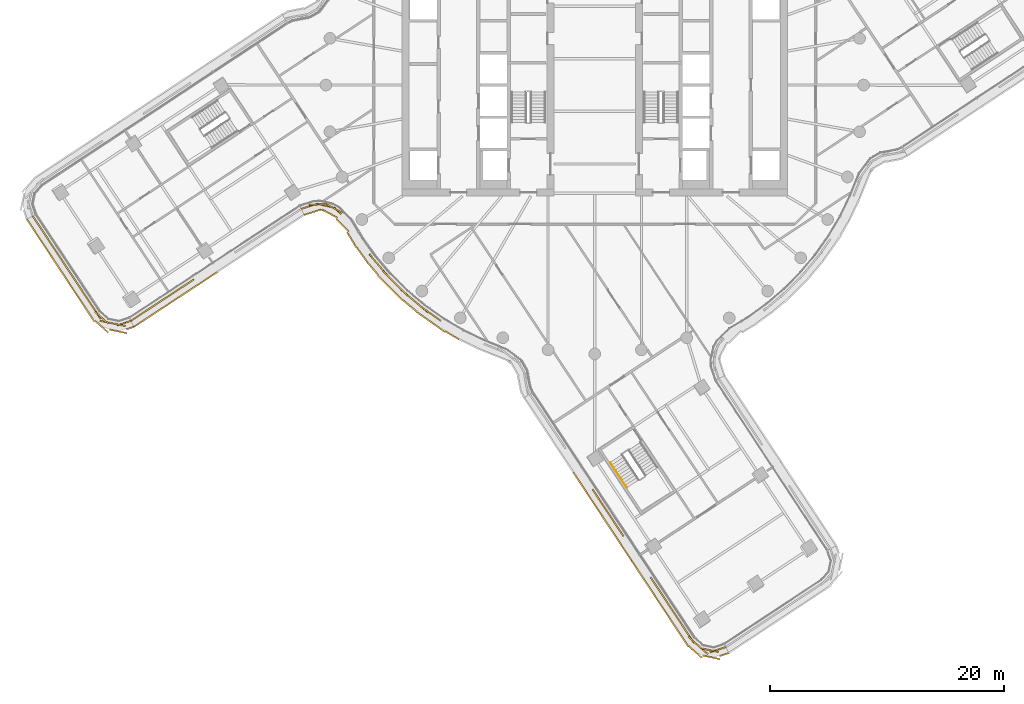
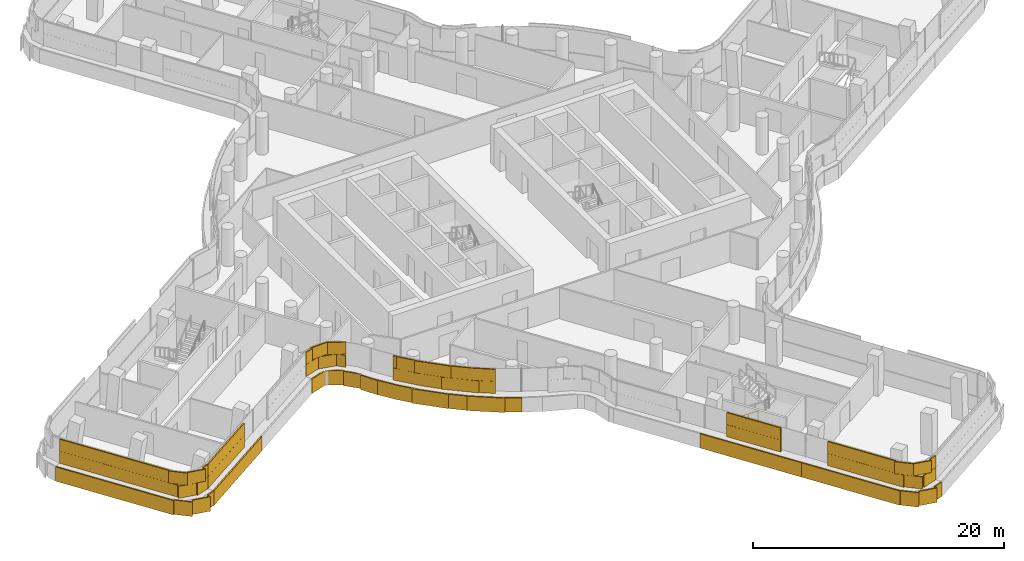
# One storey, part 28 of 35: 5 coverings, 1 railing.
"""IFC4 building model written with IfcOpenShell, lengths in metres."""

from ifc_helpers import new_model, si_unit, direction, frame, origin, origin_2d, place, context, subcontext, project, spatial, rectangle, circle, extrude, material, layer, layer_set, type_object, element, save


model = new_model("IFC4")

# Units and contexts
model_context = context("Model", 3, precision=1e-05, world=origin(), true_north=direction((0.0, 1.0)))
body_context = subcontext(model_context, "Body", "Model", "MODEL_VIEW")
ifc_project = project(units=[si_unit("LENGTHUNIT", "METRE"), si_unit("AREAUNIT", "SQUARE_METRE"), si_unit("VOLUMEUNIT", "CUBIC_METRE"), si_unit("PLANEANGLEUNIT", "RADIAN"), si_unit("MASSUNIT", "GRAM", prefix="KILO")], contexts=[model_context])

# Site, building, storey
site_placement = place(None, origin())
site = spatial("IfcSite", under=ifc_project, at=site_placement, CompositionType="ELEMENT")
building_placement = place(site_placement, origin())
building = spatial("IfcBuilding", under=site, at=building_placement, Name="Tamarind Cross Interchange Tower", CompositionType="ELEMENT")
storey_placement = place(building_placement, frame((0.0, 0.0, 155.5)))
storey = spatial("IfcBuildingStorey", under=building, at=storey_placement, Name="L38", CompositionType="ELEMENT", Elevation=155.5)

# Railing
ifc_material_1 = material(Name="Stair handrail")
railing_type = type_object("IfcRailingType", Name="Stair handrail", PredefinedType="HANDRAIL", material=ifc_material_1)
railing_placement = place(storey_placement, frame((1.326904296875, -32.26806640625, 0.17041015625)))
element("IfcRailing", 1, at=railing_placement, inside=storey, type_object=railing_type, Name="L38 ST6 stair handrail 1", PredefinedType="HANDRAIL", context=body_context, shape_type="SweptSolid", body=[
    extrude(circle(Radius=0.02392578125, at=origin_2d()), frame((0.0, 0.0, 0.8759765625), z_axis=(0.460805384345, -0.697883001137, 0.548286161127), x_axis=(0.834498011269, 0.551010951967, 0.0)), (0.0, 0.0, 1.0), 3.10888671875),
    extrude(circle(Radius=0.02099609375, at=origin_2d()), origin(), (0.0, 0.0, 1.0), 0.851806640625),
    extrude(circle(Radius=0.02099609375, at=origin_2d()), frame((0.4775390625, -0.72314453125, 0.568115234375)), (0.0, 0.0, 1.0), 0.851806640625),
    extrude(circle(Radius=0.02099609375, at=origin_2d()), frame((0.955078125, -1.446533203125, 1.136474609375)), (0.0, 0.0, 1.0), 0.851806640625),
    extrude(circle(Radius=0.02099609375, at=origin_2d()), frame((1.4326171875, -2.169677734375, 1.70458984375)), (0.0, 0.0, 1.0), 0.851806640625),
])

# Coverings
ifc_material_2 = material(Name="Terracotta", Category="masonry")
ifc_layer = layer(ifc_material_2, 0.1201171875)
ifc_layer_set = layer_set([ifc_layer], Name="Terracotta")
covering_type = type_object("IfcCoveringType", Name="Terracotta baguette screen unit", PredefinedType="MOLDING", material=ifc_layer_set)
covering_1_placement = place(storey_placement, origin())
element("IfcCovering", 2, at=covering_1_placement, inside=storey, type_object=covering_type, Name="SCR-L38-04-00", PredefinedType="MOLDING", context=body_context, shape_type="SweptSolid", body=[
    extrude(rectangle(XDim=1.510009765625, YDim=0.1201171875, at=origin_2d()), frame((-47.65625, -11.831787109375, 1.404052734375), z_axis=(0.0, 0.0, 1.0), x_axis=(0.550970225759, -0.834524900963, 0.0)), (0.0, 0.0, 1.0), 1.1669921875),
    extrude(rectangle(XDim=1.52001953125, YDim=0.1201171875, at=origin_2d()), frame((-46.829833984375, -13.083740234375, 1.404052734375), z_axis=(0.0, 0.0, 1.0), x_axis=(0.550970225759, -0.834524900963, 0.0)), (0.0, 0.0, 1.0), 1.1669921875),
    extrude(rectangle(XDim=1.52001953125, YDim=0.1201171875, at=origin_2d()), frame((-46.00341796875, -14.33544921875, 1.404052734375), z_axis=(0.0, 0.0, 1.0), x_axis=(0.550970225759, -0.834524900963, 0.0)), (0.0, 0.0, 1.0), 1.1669921875),
    extrude(rectangle(XDim=1.52001953125, YDim=0.1201171875, at=origin_2d()), frame((-45.1767578125, -15.587158203125, 1.404052734375), z_axis=(0.0, 0.0, 1.0), x_axis=(0.550970225759, -0.834524900963, 0.0)), (0.0, 0.0, 1.0), 1.1669921875),
    extrude(rectangle(XDim=1.52001953125, YDim=0.1201171875, at=origin_2d()), frame((-44.350341796875, -16.8388671875, 1.404052734375), z_axis=(0.0, 0.0, 1.0), x_axis=(0.550970225759, -0.834524900963, 0.0)), (0.0, 0.0, 1.0), 1.1669921875),
    extrude(rectangle(XDim=1.52001953125, YDim=0.1201171875, at=origin_2d()), frame((-43.52392578125, -18.0908203125, 1.404052734375), z_axis=(0.0, 0.0, 1.0), x_axis=(0.550970225759, -0.834524900963, 0.0)), (0.0, 0.0, 1.0), 1.1669921875),
    extrude(rectangle(XDim=1.52001953125, YDim=0.1201171875, at=origin_2d()), frame((-42.697509765625, -19.342529296875, 1.404052734375), z_axis=(0.0, 0.0, 1.0), x_axis=(0.550970225759, -0.834524900963, 0.0)), (0.0, 0.0, 1.0), 1.1669921875),
    extrude(rectangle(XDim=1.52001953125, YDim=0.1201171875, at=origin_2d()), frame((-41.59326171875, -20.312744140625, 1.404052734375), z_axis=(0.0, 0.0, 1.0), x_axis=(0.979692999406, -0.200503433674, 0.0)), (0.0, 0.0, 1.0), 1.1669921875),
    extrude(rectangle(XDim=1.259521484375, YDim=0.1201171875, at=origin_2d()), frame((-40.26025390625, -20.35791015625, 1.404052734375), z_axis=(0.0, 0.0, 1.0), x_axis=(0.948690742232, 0.316205432595, 0.0)), (0.0, 0.0, 1.0), 1.1669921875),
    extrude(rectangle(XDim=0.760009765625, YDim=0.1201171875, at=origin_2d()), frame((-47.86279296875, -11.518798828125, 2.5791015625), z_axis=(0.0, 0.0, 1.0), x_axis=(0.550970225759, -0.834524900963, 0.0)), (0.0, 0.0, 1.0), 1.1669921875),
    extrude(rectangle(XDim=1.52001953125, YDim=0.1201171875, at=origin_2d()), frame((-47.242919921875, -12.457763671875, 2.5791015625), z_axis=(0.0, 0.0, 1.0), x_axis=(0.550970225759, -0.834524900963, 0.0)), (0.0, 0.0, 1.0), 1.1669921875),
    extrude(rectangle(XDim=1.52001953125, YDim=0.1201171875, at=origin_2d()), frame((-46.41650390625, -13.70947265625, 2.5791015625), z_axis=(0.0, 0.0, 1.0), x_axis=(0.550970225759, -0.834524900963, 0.0)), (0.0, 0.0, 1.0), 1.1669921875),
    extrude(rectangle(XDim=1.52001953125, YDim=0.1201171875, at=origin_2d()), frame((-45.590087890625, -14.96142578125, 2.5791015625), z_axis=(0.0, 0.0, 1.0), x_axis=(0.550970225759, -0.834524900963, 0.0)), (0.0, 0.0, 1.0), 1.1669921875),
    extrude(rectangle(XDim=1.52001953125, YDim=0.1201171875, at=origin_2d()), frame((-44.763671875, -16.213134765625, 2.5791015625), z_axis=(0.0, 0.0, 1.0), x_axis=(0.550970225759, -0.834524900963, 0.0)), (0.0, 0.0, 1.0), 1.1669921875),
    extrude(rectangle(XDim=1.52001953125, YDim=0.1201171875, at=origin_2d()), frame((-43.937255859375, -17.46484375, 2.5791015625), z_axis=(0.0, 0.0, 1.0), x_axis=(0.550970225759, -0.834524900963, 0.0)), (0.0, 0.0, 1.0), 1.1669921875),
    extrude(rectangle(XDim=1.52001953125, YDim=0.1201171875, at=origin_2d()), frame((-43.110595703125, -18.716552734375, 2.5791015625), z_axis=(0.0, 0.0, 1.0), x_axis=(0.550970225759, -0.834524900963, 0.0)), (0.0, 0.0, 1.0), 1.1669921875),
    extrude(rectangle(XDim=1.52001953125, YDim=0.1201171875, at=origin_2d()), frame((-42.1904296875, -19.886962890625, 2.5791015625), z_axis=(0.0, 0.0, 1.0), x_axis=(0.748187308558, -0.663487566811, 0.0)), (0.0, 0.0, 1.0), 1.1669921875),
    extrude(rectangle(XDim=1.52001953125, YDim=0.1201171875, at=origin_2d()), frame((-40.8583984375, -20.463134765625, 2.5791015625), z_axis=(0.0, 0.0, 1.0), x_axis=(0.979692999406, -0.200503433674, 0.0)), (0.0, 0.0, 1.0), 1.1669921875),
    extrude(rectangle(XDim=0.509521484375, YDim=0.1201171875, at=origin_2d()), frame((-39.904541015625, -20.2392578125, 2.5791015625), z_axis=(0.0, 0.0, 1.0), x_axis=(0.948690742232, 0.316205432595, 0.0)), (0.0, 0.0, 1.0), 1.1669921875),
    extrude(rectangle(XDim=1.510009765625, YDim=0.1201171875, at=origin_2d()), frame((-48.174072265625, -12.089111328125, 0.00390625), z_axis=(0.0, 0.0, 1.0), x_axis=(0.550970225759, -0.834524900963, 0.0)), (0.0, 0.0, 1.0), 1.39208984375),
    extrude(rectangle(XDim=1.52001953125, YDim=0.1201171875, at=origin_2d()), frame((-47.350341796875, -13.3369140625, 0.00390625), z_axis=(0.0, 0.0, 1.0), x_axis=(0.550970225759, -0.834524900963, 0.0)), (0.0, 0.0, 1.0), 1.39208984375),
    extrude(rectangle(XDim=1.52001953125, YDim=0.1201171875, at=origin_2d()), frame((-46.52392578125, -14.588623046875, 0.00390625), z_axis=(0.0, 0.0, 1.0), x_axis=(0.550970225759, -0.834524900963, 0.0)), (0.0, 0.0, 1.0), 1.39208984375),
    extrude(rectangle(XDim=1.52001953125, YDim=0.1201171875, at=origin_2d()), frame((-45.697509765625, -15.84033203125, 0.00390625), z_axis=(0.0, 0.0, 1.0), x_axis=(0.550970225759, -0.834524900963, 0.0)), (0.0, 0.0, 1.0), 1.39208984375),
    extrude(rectangle(XDim=1.52001953125, YDim=0.1201171875, at=origin_2d()), frame((-44.87109375, -17.09228515625, 0.00390625), z_axis=(0.0, 0.0, 1.0), x_axis=(0.550970225759, -0.834524900963, 0.0)), (0.0, 0.0, 1.0), 1.39208984375),
    extrude(rectangle(XDim=1.52001953125, YDim=0.1201171875, at=origin_2d()), frame((-44.044677734375, -18.343994140625, 0.00390625), z_axis=(0.0, 0.0, 1.0), x_axis=(0.550970225759, -0.834524900963, 0.0)), (0.0, 0.0, 1.0), 1.39208984375),
    extrude(rectangle(XDim=1.52001953125, YDim=0.1201171875, at=origin_2d()), frame((-43.218017578125, -19.595703125, 0.00390625), z_axis=(0.0, 0.0, 1.0), x_axis=(0.550970225759, -0.834524900963, 0.0)), (0.0, 0.0, 1.0), 1.39208984375),
    extrude(rectangle(XDim=1.52001953125, YDim=0.1201171875, at=origin_2d()), frame((-42.1796875, -20.66357421875, 0.00390625), z_axis=(0.0, 0.0, 1.0), x_axis=(0.748187308558, -0.663487566811, 0.0)), (0.0, 0.0, 1.0), 1.39208984375),
    extrude(rectangle(XDim=1.52001953125, YDim=0.1201171875, at=origin_2d()), frame((-40.76220703125, -21.06884765625, 0.00390625), z_axis=(0.0, 0.0, 1.0), x_axis=(0.979692999406, -0.200503433674, 0.0)), (0.0, 0.0, 1.0), 1.39208984375),
    extrude(rectangle(XDim=0.676513671875, YDim=0.1201171875, at=origin_2d()), frame((-39.73583984375, -20.7880859375, 0.00390625), z_axis=(0.0, 0.0, 1.0), x_axis=(0.948690742232, 0.316205432595, 0.0)), (0.0, 0.0, 1.0), 1.39208984375),
])
covering_2_placement = place(storey_placement, origin())
element("IfcCovering", 3, at=covering_2_placement, inside=storey, type_object=covering_type, Name="SCR-L38-05-00", PredefinedType="MOLDING", context=body_context, shape_type="SweptSolid", body=[
    extrude(rectangle(XDim=1.510009765625, YDim=0.1201171875, at=origin_2d()), frame((-39.040771484375, -19.748291015625, 1.404052734375), z_axis=(0.0, 0.0, 1.0), x_axis=(0.835659570214, 0.549247742562, 0.0)), (0.0, 0.0, 1.0), 1.1669921875),
    extrude(rectangle(XDim=1.52001953125, YDim=0.1201171875, at=origin_2d()), frame((-37.787353515625, -18.924560546875, 1.404052734375), z_axis=(0.0, 0.0, 1.0), x_axis=(0.835659570214, 0.549247742562, 0.0)), (0.0, 0.0, 1.0), 1.1669921875),
    extrude(rectangle(XDim=1.52001953125, YDim=0.1201171875, at=origin_2d()), frame((-36.53369140625, -18.1005859375, 1.404052734375), z_axis=(0.0, 0.0, 1.0), x_axis=(0.835659570214, 0.549247742562, 0.0)), (0.0, 0.0, 1.0), 1.1669921875),
    extrude(rectangle(XDim=1.52001953125, YDim=0.1201171875, at=origin_2d()), frame((-35.2802734375, -17.276611328125, 1.404052734375), z_axis=(0.0, 0.0, 1.0), x_axis=(0.835659570214, 0.549247742562, 0.0)), (0.0, 0.0, 1.0), 1.1669921875),
    extrude(rectangle(XDim=0.449462890625, YDim=0.1201171875, at=origin_2d()), frame((-34.469970703125, -16.744140625, 1.404052734375), z_axis=(0.0, 0.0, 1.0), x_axis=(0.835659570214, 0.549247742562, 0.0)), (0.0, 0.0, 1.0), 1.1669921875),
    extrude(rectangle(XDim=0.760009765625, YDim=0.1201171875, at=origin_2d()), frame((-39.354248046875, -19.954345703125, 2.5791015625), z_axis=(0.0, 0.0, 1.0), x_axis=(0.835659570214, 0.549247742562, 0.0)), (0.0, 0.0, 1.0), 1.1669921875),
    extrude(rectangle(XDim=1.52001953125, YDim=0.1201171875, at=origin_2d()), frame((-38.4140625, -19.33642578125, 2.5791015625), z_axis=(0.0, 0.0, 1.0), x_axis=(0.835659570214, 0.549247742562, 0.0)), (0.0, 0.0, 1.0), 1.1669921875),
    extrude(rectangle(XDim=1.52001953125, YDim=0.1201171875, at=origin_2d()), frame((-37.16064453125, -18.512451171875, 2.5791015625), z_axis=(0.0, 0.0, 1.0), x_axis=(0.835659570214, 0.549247742562, 0.0)), (0.0, 0.0, 1.0), 1.1669921875),
    extrude(rectangle(XDim=1.52001953125, YDim=0.1201171875, at=origin_2d()), frame((-35.906982421875, -17.688720703125, 2.5791015625), z_axis=(0.0, 0.0, 1.0), x_axis=(0.835659570214, 0.549247742562, 0.0)), (0.0, 0.0, 1.0), 1.1669921875),
    extrude(rectangle(XDim=1.199462890625, YDim=0.1201171875, at=origin_2d()), frame((-34.783203125, -16.949951171875, 2.5791015625), z_axis=(0.0, 0.0, 1.0), x_axis=(0.835659570214, 0.549247742562, 0.0)), (0.0, 0.0, 1.0), 1.1669921875),
    extrude(rectangle(XDim=1.510009765625, YDim=0.1201171875, at=origin_2d()), frame((-38.783935546875, -20.266357421875, 0.00390625), z_axis=(0.0, 0.0, 1.0), x_axis=(0.835659570214, 0.549247742562, 0.0)), (0.0, 0.0, 1.0), 1.39208984375),
    extrude(rectangle(XDim=1.52001953125, YDim=0.1201171875, at=origin_2d()), frame((-37.53466796875, -19.4453125, 0.00390625), z_axis=(0.0, 0.0, 1.0), x_axis=(0.835659570214, 0.549247742562, 0.0)), (0.0, 0.0, 1.0), 1.39208984375),
    extrude(rectangle(XDim=1.52001953125, YDim=0.1201171875, at=origin_2d()), frame((-36.28125, -18.621337890625, 0.00390625), z_axis=(0.0, 0.0, 1.0), x_axis=(0.835659570214, 0.549247742562, 0.0)), (0.0, 0.0, 1.0), 1.39208984375),
    extrude(rectangle(XDim=1.52001953125, YDim=0.1201171875, at=origin_2d()), frame((-35.027587890625, -17.797607421875, 0.00390625), z_axis=(0.0, 0.0, 1.0), x_axis=(0.835659570214, 0.549247742562, 0.0)), (0.0, 0.0, 1.0), 1.39208984375),
    extrude(rectangle(XDim=1.52001953125, YDim=0.1201171875, at=origin_2d()), frame((-33.774169921875, -16.9736328125, 0.00390625), z_axis=(0.0, 0.0, 1.0), x_axis=(0.835659570214, 0.549247742562, 0.0)), (0.0, 0.0, 1.0), 1.39208984375),
    extrude(rectangle(XDim=1.04833984375, YDim=0.1201171875, at=origin_2d()), frame((-32.7177734375, -16.279296875, 0.00390625), z_axis=(0.0, 0.0, 1.0), x_axis=(0.835659570214, 0.549247742562, 0.0)), (0.0, 0.0, 1.0), 1.39208984375),
])
covering_3_placement = place(storey_placement, origin())
element("IfcCovering", 4, at=covering_3_placement, inside=storey, type_object=covering_type, Name="SCR-L38-06-00", PredefinedType="MOLDING", context=body_context, shape_type="SweptSolid", body=[
    extrude(rectangle(XDim=1.510009765625, YDim=0.1201171875, at=origin_2d()), frame((-24.39794921875, -10.361328125, 1.404052734375), z_axis=(0.0, 0.0, 1.0), x_axis=(0.951094735667, 0.308899342484, 0.0)), (0.0, 0.0, 1.0), 1.1669921875),
    extrude(rectangle(XDim=1.52001953125, YDim=0.1201171875, at=origin_2d()), frame((-22.93359375, -10.3408203125, 1.404052734375), z_axis=(0.0, 0.0, 1.0), x_axis=(0.974806127154, -0.22305383759, 0.0)), (0.0, 0.0, 1.0), 1.1669921875),
    extrude(rectangle(XDim=0.72705078125, YDim=0.1201171875, at=origin_2d()), frame((-21.944580078125, -10.79345703125, 1.404052734375), z_axis=(0.0, 0.0, 1.0), x_axis=(0.704844247219, -0.709362098763, 0.0)), (0.0, 0.0, 1.0), 1.1669921875),
    extrude(rectangle(XDim=1.093017578125, YDim=0.1201171875, at=origin_2d()), frame((-18.93603515625, -14.88427734375, 1.404052734375), z_axis=(0.0, 0.0, 1.0), x_axis=(0.64957723968, -0.760295606781, 0.0)), (0.0, 0.0, 1.0), 1.1669921875),
    extrude(rectangle(XDim=1.52001953125, YDim=0.1201171875, at=origin_2d()), frame((-18.096923828125, -15.8662109375, 1.404052734375), z_axis=(0.0, 0.0, 1.0), x_axis=(0.64957723968, -0.760295606781, 0.0)), (0.0, 0.0, 1.0), 1.1669921875),
    extrude(rectangle(XDim=1.52001953125, YDim=0.1201171875, at=origin_2d()), frame((-17.073486328125, -16.9609375, 1.404052734375), z_axis=(0.0, 0.0, 1.0), x_axis=(0.710143317658, -0.704057148523, 0.0)), (0.0, 0.0, 1.0), 1.1669921875),
    extrude(rectangle(XDim=1.52001953125, YDim=0.1201171875, at=origin_2d()), frame((-15.990234375, -17.99755859375, 1.404052734375), z_axis=(0.0, 0.0, 1.0), x_axis=(0.765858396687, -0.643009266048, 0.0)), (0.0, 0.0, 1.0), 1.1669921875),
    extrude(rectangle(XDim=1.52001953125, YDim=0.1201171875, at=origin_2d()), frame((-14.841552734375, -18.9619140625, 1.404052734375), z_axis=(0.0, 0.0, 1.0), x_axis=(0.765858396687, -0.643009266048, 0.0)), (0.0, 0.0, 1.0), 1.1669921875),
    extrude(rectangle(XDim=1.308837890625, YDim=0.1201171875, at=origin_2d()), frame((-13.70751953125, -19.78125, 1.404052734375), z_axis=(0.0, 0.0, 1.0), x_axis=(0.816341886298, -0.577568978284, 0.0)), (0.0, 0.0, 1.0), 1.1669921875),
    extrude(rectangle(XDim=0.760009765625, YDim=0.1201171875, at=origin_2d()), frame((-24.754638671875, -10.477294921875, 2.5791015625), z_axis=(0.0, 0.0, 1.0), x_axis=(0.951094735667, 0.308899342484, 0.0)), (0.0, 0.0, 1.0), 1.1669921875),
    extrude(rectangle(XDim=1.52001953125, YDim=0.1201171875, at=origin_2d()), frame((-23.668701171875, -10.2177734375, 2.5791015625), z_axis=(0.0, 0.0, 1.0), x_axis=(0.999008047916, 0.044529992122, 0.0)), (0.0, 0.0, 1.0), 1.1669921875),
    extrude(rectangle(XDim=1.47705078125, YDim=0.1201171875, at=origin_2d()), frame((-22.245849609375, -10.57666015625, 2.5791015625), z_axis=(0.0, 0.0, 1.0), x_axis=(0.880236033539, -0.474536115864, 0.0)), (0.0, 0.0, 1.0), 1.1669921875),
    extrude(rectangle(XDim=0.343017578125, YDim=0.1201171875, at=origin_2d()), frame((-19.156005859375, -14.580810546875, 2.5791015625), z_axis=(0.0, 0.0, 1.0), x_axis=(0.584573890505, -0.811340475102, 0.0)), (0.0, 0.0, 1.0), 1.1669921875),
    extrude(rectangle(XDim=1.52001953125, YDim=0.1201171875, at=origin_2d()), frame((-18.584228515625, -15.296142578125, 2.5791015625), z_axis=(0.0, 0.0, 1.0), x_axis=(0.64957723968, -0.760295606781, 0.0)), (0.0, 0.0, 1.0), 1.1669921875),
    extrude(rectangle(XDim=1.52001953125, YDim=0.1201171875, at=origin_2d()), frame((-17.60595703125, -16.43310546875, 2.5791015625), z_axis=(0.0, 0.0, 1.0), x_axis=(0.710143317658, -0.704057148523, 0.0)), (0.0, 0.0, 1.0), 1.1669921875),
    extrude(rectangle(XDim=1.52001953125, YDim=0.1201171875, at=origin_2d()), frame((-16.540771484375, -17.489013671875, 2.5791015625), z_axis=(0.0, 0.0, 1.0), x_axis=(0.710143317658, -0.704057148523, 0.0)), (0.0, 0.0, 1.0), 1.1669921875),
    extrude(rectangle(XDim=1.52001953125, YDim=0.1201171875, at=origin_2d()), frame((-15.416015625, -18.479736328125, 2.5791015625), z_axis=(0.0, 0.0, 1.0), x_axis=(0.765858396687, -0.643009266048, 0.0)), (0.0, 0.0, 1.0), 1.1669921875),
    extrude(rectangle(XDim=1.52001953125, YDim=0.1201171875, at=origin_2d()), frame((-14.23779296875, -19.40625, 2.5791015625), z_axis=(0.0, 0.0, 1.0), x_axis=(0.816341886298, -0.577568978284, 0.0)), (0.0, 0.0, 1.0), 1.1669921875),
    extrude(rectangle(XDim=0.558837890625, YDim=0.1201171875, at=origin_2d()), frame((-13.4013671875, -19.998046875, 2.5791015625), z_axis=(0.0, 0.0, 1.0), x_axis=(0.816341886298, -0.577568978284, 0.0)), (0.0, 0.0, 1.0), 1.1669921875),
    extrude(rectangle(XDim=1.510009765625, YDim=0.1201171875, at=origin_2d()), frame((-24.142578125, -10.8818359375, 0.00390625), z_axis=(0.0, 0.0, 1.0), x_axis=(0.951094735667, 0.308899342484, 0.0)), (0.0, 0.0, 1.0), 1.39208984375),
    extrude(rectangle(XDim=1.52001953125, YDim=0.1201171875, at=origin_2d()), frame((-22.684814453125, -10.991943359375, 0.00390625), z_axis=(0.0, 0.0, 1.0), x_axis=(0.880236033539, -0.474536115864, 0.0)), (0.0, 0.0, 1.0), 1.39208984375),
    extrude(rectangle(XDim=1.52001953125, YDim=0.1201171875, at=origin_2d()), frame((-21.572509765625, -11.982421875, 0.00390625), z_axis=(0.0, 0.0, 1.0), x_axis=(0.704844247219, -0.709362098763, 0.0)), (0.0, 0.0, 1.0), 1.39208984375),
    extrude(rectangle(XDim=1.52001953125, YDim=0.1201171875, at=origin_2d()), frame((-20.78125, -13.253662109375, 0.00390625), z_axis=(0.0, 0.0, 1.0), x_axis=(0.5158697456, -0.856667033085, 0.0)), (0.0, 0.0, 1.0), 1.39208984375),
    extrude(rectangle(XDim=1.52001953125, YDim=0.1201171875, at=origin_2d()), frame((-19.930419921875, -14.48779296875, 0.00390625), z_axis=(0.0, 0.0, 1.0), x_axis=(0.584573890505, -0.811340475102, 0.0)), (0.0, 0.0, 1.0), 1.39208984375),
    extrude(rectangle(XDim=1.52001953125, YDim=0.1201171875, at=origin_2d()), frame((-19.015380859375, -15.675048828125, 0.00390625), z_axis=(0.0, 0.0, 1.0), x_axis=(0.64957723968, -0.760295606781, 0.0)), (0.0, 0.0, 1.0), 1.39208984375),
    extrude(rectangle(XDim=1.52001953125, YDim=0.1201171875, at=origin_2d()), frame((-18.038330078125, -16.812744140625, 0.00390625), z_axis=(0.0, 0.0, 1.0), x_axis=(0.710143317658, -0.704057148523, 0.0)), (0.0, 0.0, 1.0), 1.39208984375),
    extrude(rectangle(XDim=1.52001953125, YDim=0.1201171875, at=origin_2d()), frame((-16.97314453125, -17.868896484375, 0.00390625), z_axis=(0.0, 0.0, 1.0), x_axis=(0.710143317658, -0.704057148523, 0.0)), (0.0, 0.0, 1.0), 1.39208984375),
    extrude(rectangle(XDim=1.52001953125, YDim=0.1201171875, at=origin_2d()), frame((-15.8515625, -18.86328125, 0.00390625), z_axis=(0.0, 0.0, 1.0), x_axis=(0.765858396687, -0.643009266048, 0.0)), (0.0, 0.0, 1.0), 1.39208984375),
    extrude(rectangle(XDim=1.52001953125, YDim=0.1201171875, at=origin_2d()), frame((-14.67919921875, -19.797119140625, 0.00390625), z_axis=(0.0, 0.0, 1.0), x_axis=(0.816341886298, -0.577568978284, 0.0)), (0.0, 0.0, 1.0), 1.39208984375),
    extrude(rectangle(XDim=1.52001953125, YDim=0.1201171875, at=origin_2d()), frame((-13.45458984375, -20.66357421875, 0.00390625), z_axis=(0.0, 0.0, 1.0), x_axis=(0.816341886298, -0.577568978284, 0.0)), (0.0, 0.0, 1.0), 1.39208984375),
    extrude(rectangle(XDim=1.36474609375, YDim=0.1201171875, at=origin_2d()), frame((-12.232666015625, -21.39111328125, 0.00390625), z_axis=(0.0, 0.0, 1.0), x_axis=(0.861248933065, -0.508183308752, 0.0)), (0.0, 0.0, 1.0), 1.39208984375),
])
covering_4_placement = place(storey_placement, origin())
element("IfcCovering", 5, at=covering_4_placement, inside=storey, type_object=covering_type, Name="SCR-L38-07-01", PredefinedType="MOLDING", context=body_context, shape_type="SweptSolid", body=[
    extrude(rectangle(XDim=0.762939453125, YDim=0.1201171875, at=origin_2d()), frame((0.0205078125, -34.899169921875, 1.404052734375), z_axis=(0.0, 0.0, 1.0), x_axis=(0.550970225759, -0.834524900963, 0.0)), (0.0, 0.0, 1.0), 1.1669921875),
    extrude(rectangle(XDim=1.52001953125, YDim=0.1201171875, at=origin_2d()), frame((0.64111328125, -35.839111328125, 1.404052734375), z_axis=(0.0, 0.0, 1.0), x_axis=(0.550970225759, -0.834524900963, 0.0)), (0.0, 0.0, 1.0), 1.1669921875),
    extrude(rectangle(XDim=1.52001953125, YDim=0.1201171875, at=origin_2d()), frame((1.467529296875, -37.091064453125, 1.404052734375), z_axis=(0.0, 0.0, 1.0), x_axis=(0.550970225759, -0.834524900963, 0.0)), (0.0, 0.0, 1.0), 1.1669921875),
    extrude(rectangle(XDim=1.0634765625, YDim=0.1201171875, at=origin_2d()), frame((2.1708984375, -38.156494140625, 1.404052734375), z_axis=(0.0, 0.0, 1.0), x_axis=(0.550970225759, -0.834524900963, 0.0)), (0.0, 0.0, 1.0), 1.1669921875),
    extrude(rectangle(XDim=1.52001953125, YDim=0.1201171875, at=origin_2d()), frame((0.227783203125, -35.21337890625, 2.5791015625), z_axis=(0.0, 0.0, 1.0), x_axis=(0.550970225759, -0.834524900963, 0.0)), (0.0, 0.0, 1.0), 1.1669921875),
    extrude(rectangle(XDim=1.52001953125, YDim=0.1201171875, at=origin_2d()), frame((1.05419921875, -36.465087890625, 2.5791015625), z_axis=(0.0, 0.0, 1.0), x_axis=(0.550970225759, -0.834524900963, 0.0)), (0.0, 0.0, 1.0), 1.1669921875),
    extrude(rectangle(XDim=1.52001953125, YDim=0.1201171875, at=origin_2d()), frame((1.880859375, -37.716796875, 2.5791015625), z_axis=(0.0, 0.0, 1.0), x_axis=(0.550970225759, -0.834524900963, 0.0)), (0.0, 0.0, 1.0), 1.1669921875),
    extrude(rectangle(XDim=0.3134765625, YDim=0.1201171875, at=origin_2d()), frame((2.377685546875, -38.469482421875, 2.5791015625), z_axis=(0.0, 0.0, 1.0), x_axis=(0.550970225759, -0.834524900963, 0.0)), (0.0, 0.0, 1.0), 1.1669921875),
    extrude(rectangle(XDim=1.32861328125, YDim=0.1201171875, at=origin_2d()), frame((-1.458740234375, -33.700439453125, 0.00390625), z_axis=(0.0, 0.0, 1.0), x_axis=(0.550970225759, -0.834524900963, 0.0)), (0.0, 0.0, 1.0), 1.39208984375),
    extrude(rectangle(XDim=1.52001953125, YDim=0.1201171875, at=origin_2d()), frame((-0.68505859375, -34.872314453125, 0.00390625), z_axis=(0.0, 0.0, 1.0), x_axis=(0.550970225759, -0.834524900963, 0.0)), (0.0, 0.0, 1.0), 1.39208984375),
    extrude(rectangle(XDim=1.52001953125, YDim=0.1201171875, at=origin_2d()), frame((0.141357421875, -36.1240234375, 0.00390625), z_axis=(0.0, 0.0, 1.0), x_axis=(0.550970225759, -0.834524900963, 0.0)), (0.0, 0.0, 1.0), 1.39208984375),
    extrude(rectangle(XDim=1.52001953125, YDim=0.1201171875, at=origin_2d()), frame((0.9677734375, -37.375732421875, 0.00390625), z_axis=(0.0, 0.0, 1.0), x_axis=(0.550970225759, -0.834524900963, 0.0)), (0.0, 0.0, 1.0), 1.39208984375),
    extrude(rectangle(XDim=1.52001953125, YDim=0.1201171875, at=origin_2d()), frame((1.794189453125, -38.627685546875, 0.00390625), z_axis=(0.0, 0.0, 1.0), x_axis=(0.550970225759, -0.834524900963, 0.0)), (0.0, 0.0, 1.0), 1.39208984375),
    extrude(rectangle(XDim=1.52001953125, YDim=0.1201171875, at=origin_2d()), frame((2.62060546875, -39.87939453125, 0.00390625), z_axis=(0.0, 0.0, 1.0), x_axis=(0.550970225759, -0.834524900963, 0.0)), (0.0, 0.0, 1.0), 1.39208984375),
    extrude(rectangle(XDim=0.23828125, YDim=0.1201171875, at=origin_2d()), frame((3.093994140625, -40.596435546875, 0.00390625), z_axis=(0.0, 0.0, 1.0), x_axis=(0.550970225759, -0.834524900963, 0.0)), (0.0, 0.0, 1.0), 1.39208984375),
])
covering_5_placement = place(storey_placement, origin())
element("IfcCovering", 6, at=covering_5_placement, inside=storey, type_object=covering_type, Name="SCR-L38-07-02", PredefinedType="MOLDING", context=body_context, shape_type="SweptSolid", body=[
    extrude(rectangle(XDim=0.756591796875, YDim=0.1201171875, at=origin_2d()), frame((4.98095703125, -42.41259765625, 1.404052734375), z_axis=(0.0, 0.0, 1.0), x_axis=(0.550970225759, -0.834524900963, 0.0)), (0.0, 0.0, 1.0), 1.1669921875),
    extrude(rectangle(XDim=1.52001953125, YDim=0.1201171875, at=origin_2d()), frame((5.599853515625, -43.349853515625, 1.404052734375), z_axis=(0.0, 0.0, 1.0), x_axis=(0.550970225759, -0.834524900963, 0.0)), (0.0, 0.0, 1.0), 1.1669921875),
    extrude(rectangle(XDim=1.52001953125, YDim=0.1201171875, at=origin_2d()), frame((6.42626953125, -44.601806640625, 1.404052734375), z_axis=(0.0, 0.0, 1.0), x_axis=(0.550970225759, -0.834524900963, 0.0)), (0.0, 0.0, 1.0), 1.1669921875),
    extrude(rectangle(XDim=1.52001953125, YDim=0.1201171875, at=origin_2d()), frame((7.252685546875, -45.853515625, 1.404052734375), z_axis=(0.0, 0.0, 1.0), x_axis=(0.550970225759, -0.834524900963, 0.0)), (0.0, 0.0, 1.0), 1.1669921875),
    extrude(rectangle(XDim=1.52001953125, YDim=0.1201171875, at=origin_2d()), frame((8.0791015625, -47.105224609375, 1.404052734375), z_axis=(0.0, 0.0, 1.0), x_axis=(0.550970225759, -0.834524900963, 0.0)), (0.0, 0.0, 1.0), 1.1669921875),
    extrude(rectangle(XDim=1.52001953125, YDim=0.1201171875, at=origin_2d()), frame((9.11279296875, -48.17724609375, 1.404052734375), z_axis=(0.0, 0.0, 1.0), x_axis=(0.748187308558, -0.663487566811, 0.0)), (0.0, 0.0, 1.0), 1.1669921875),
    extrude(rectangle(XDim=1.435302734375, YDim=0.1201171875, at=origin_2d()), frame((10.52978515625, -48.294677734375, 1.404052734375), z_axis=(0.0, 0.0, 1.0), x_axis=(0.948690742232, 0.316205432595, 0.0)), (0.0, 0.0, 1.0), 1.1669921875),
    extrude(rectangle(XDim=1.506591796875, YDim=0.1201171875, at=origin_2d()), frame((5.1875, -42.7255859375, 2.5791015625), z_axis=(0.0, 0.0, 1.0), x_axis=(0.550970225759, -0.834524900963, 0.0)), (0.0, 0.0, 1.0), 1.1669921875),
    extrude(rectangle(XDim=1.52001953125, YDim=0.1201171875, at=origin_2d()), frame((6.012939453125, -43.975830078125, 2.5791015625), z_axis=(0.0, 0.0, 1.0), x_axis=(0.550970225759, -0.834524900963, 0.0)), (0.0, 0.0, 1.0), 1.1669921875),
    extrude(rectangle(XDim=1.52001953125, YDim=0.1201171875, at=origin_2d()), frame((6.839599609375, -45.2275390625, 2.5791015625), z_axis=(0.0, 0.0, 1.0), x_axis=(0.550970225759, -0.834524900963, 0.0)), (0.0, 0.0, 1.0), 1.1669921875),
    extrude(rectangle(XDim=1.52001953125, YDim=0.1201171875, at=origin_2d()), frame((7.666015625, -46.4794921875, 2.5791015625), z_axis=(0.0, 0.0, 1.0), x_axis=(0.550970225759, -0.834524900963, 0.0)), (0.0, 0.0, 1.0), 1.1669921875),
    extrude(rectangle(XDim=1.52001953125, YDim=0.1201171875, at=origin_2d()), frame((8.5517578125, -47.6796875, 2.5791015625), z_axis=(0.0, 0.0, 1.0), x_axis=(0.748187308558, -0.663487566811, 0.0)), (0.0, 0.0, 1.0), 1.1669921875),
    extrude(rectangle(XDim=1.52001953125, YDim=0.1201171875, at=origin_2d()), frame((9.8427734375, -48.337158203125, 2.5791015625), z_axis=(0.0, 0.0, 1.0), x_axis=(0.979692999406, -0.200503433674, 0.0)), (0.0, 0.0, 1.0), 1.1669921875),
    extrude(rectangle(XDim=0.685302734375, YDim=0.1201171875, at=origin_2d()), frame((10.8857421875, -48.17626953125, 2.5791015625), z_axis=(0.0, 0.0, 1.0), x_axis=(0.948690742232, 0.316205432595, 0.0)), (0.0, 0.0, 1.0), 1.1669921875),
    extrude(rectangle(XDim=1.28173828125, YDim=0.1201171875, at=origin_2d()), frame((3.5126953125, -41.230712890625, 0.00390625), z_axis=(0.0, 0.0, 1.0), x_axis=(0.550970225759, -0.834524900963, 0.0)), (0.0, 0.0, 1.0), 1.39208984375),
    extrude(rectangle(XDim=1.52001953125, YDim=0.1201171875, at=origin_2d()), frame((4.273681640625, -42.383056640625, 0.00390625), z_axis=(0.0, 0.0, 1.0), x_axis=(0.550970225759, -0.834524900963, 0.0)), (0.0, 0.0, 1.0), 1.39208984375),
    extrude(rectangle(XDim=1.52001953125, YDim=0.1201171875, at=origin_2d()), frame((5.10009765625, -43.634765625, 0.00390625), z_axis=(0.0, 0.0, 1.0), x_axis=(0.550970225759, -0.834524900963, 0.0)), (0.0, 0.0, 1.0), 1.39208984375),
    extrude(rectangle(XDim=1.52001953125, YDim=0.1201171875, at=origin_2d()), frame((5.926513671875, -44.886474609375, 0.00390625), z_axis=(0.0, 0.0, 1.0), x_axis=(0.550970225759, -0.834524900963, 0.0)), (0.0, 0.0, 1.0), 1.39208984375),
    extrude(rectangle(XDim=1.52001953125, YDim=0.1201171875, at=origin_2d()), frame((6.7529296875, -46.138427734375, 0.00390625), z_axis=(0.0, 0.0, 1.0), x_axis=(0.550970225759, -0.834524900963, 0.0)), (0.0, 0.0, 1.0), 1.39208984375),
    extrude(rectangle(XDim=1.52001953125, YDim=0.1201171875, at=origin_2d()), frame((7.579345703125, -47.39013671875, 0.00390625), z_axis=(0.0, 0.0, 1.0), x_axis=(0.550970225759, -0.834524900963, 0.0)), (0.0, 0.0, 1.0), 1.39208984375),
    extrude(rectangle(XDim=1.52001953125, YDim=0.1201171875, at=origin_2d()), frame((8.5908203125, -48.481689453125, 0.00390625), z_axis=(0.0, 0.0, 1.0), x_axis=(0.748187308558, -0.663487566811, 0.0)), (0.0, 0.0, 1.0), 1.39208984375),
    extrude(rectangle(XDim=1.52001953125, YDim=0.1201171875, at=origin_2d()), frame((9.976318359375, -48.950439453125, 0.00390625), z_axis=(0.0, 0.0, 1.0), x_axis=(0.979692999406, -0.200503433674, 0.0)), (0.0, 0.0, 1.0), 1.39208984375),
    extrude(rectangle(XDim=0.814697265625, YDim=0.1201171875, at=origin_2d()), frame((11.07275390625, -48.718994140625, 0.00390625), z_axis=(0.0, 0.0, 1.0), x_axis=(0.948690742232, 0.316205432595, 0.0)), (0.0, 0.0, 1.0), 1.39208984375),
])

save(model, "model.ifc")
